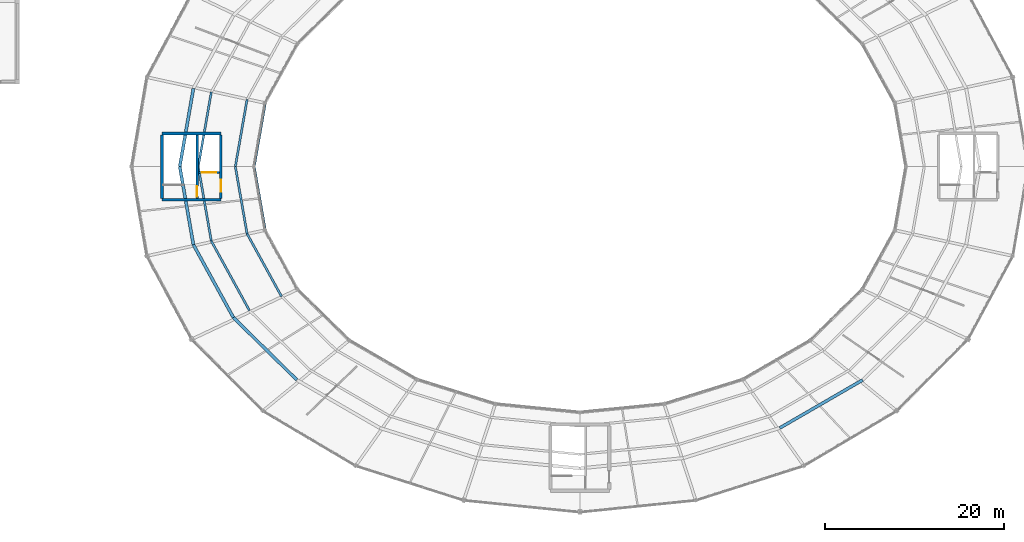
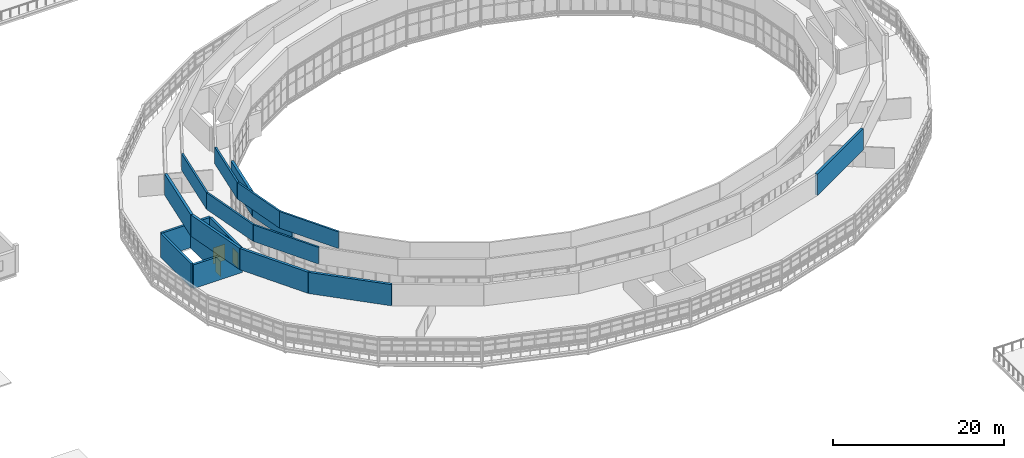
# One storey, part 100 of 123: 19 walls, 3 doors, 3 openings.
"""IFC4 building model written with IfcOpenShell, lengths in metres."""

from ifc_helpers import new_model, si_unit, direction, frame, frame_2d, origin, place, context, subcontext, project, spatial, rectangle, extrude, material, layer, layer_set, type_object, element, fill, save


model = new_model("IFC4")

# Units and contexts
model_context = context("Model", 3, precision=1e-05, world=origin(), true_north=direction((0.0, 1.0)))
body_context = subcontext(model_context, "Body", "Model", "MODEL_VIEW")
ifc_project = project(units=[si_unit("LENGTHUNIT", "METRE"), si_unit("AREAUNIT", "SQUARE_METRE"), si_unit("VOLUMEUNIT", "CUBIC_METRE"), si_unit("PLANEANGLEUNIT", "RADIAN"), si_unit("MASSUNIT", "GRAM", prefix="KILO")], contexts=[model_context])

# Site, building, storey
site_placement = place(None, origin())
site = spatial("IfcSite", under=ifc_project, at=site_placement, CompositionType="ELEMENT")
building_placement = place(site_placement, origin())
building = spatial("IfcBuilding", under=site, at=building_placement, Name="Kildeholm Park Wholesale Market", CompositionType="ELEMENT")
storey_placement = place(building_placement, frame((0.0, 0.0, 9.60009765625)))
storey = spatial("IfcBuildingStorey", under=building, at=storey_placement, Name="L02", CompositionType="ELEMENT", Elevation=9.60009765625)

# Walls
ifc_material_1 = material(Name="Precast concrete C40/50 architectural rainscreen wall", Category="concrete")
ifc_layer_1 = layer(ifc_material_1, 0.340087890625)
ifc_layer_set_1 = layer_set([ifc_layer_1], Name="Precast concrete C40/50 architectural rainscreen wall")
wall_type_1 = type_object("IfcWallType", Name="Exterior wall W-EX4 340 mm", PredefinedType="SOLIDWALL", material=ifc_layer_set_1)
wall_1_placement = place(storey_placement, frame((55.72705078125, 98.248046875, 4.52978515625), z_axis=(0.0, 0.0, 1.0), x_axis=(-0.171964181022, -0.985103202941, 0.0)))
element("IfcWall", 1, at=wall_1_placement, inside=storey, type_object=wall_type_1, Name="Vault lantern clerestory wall 12 WL-0095", PredefinedType="SOLIDWALL", context=body_context, shape_type="SweptSolid", body=[
    extrude(rectangle(XDim=8.88037109375, YDim=0.340087890625, at=frame_2d((4.440185546875, 0.0))), origin(), (0.0, 0.0, 1.0), 3.02001953125),
])
wall_2_placement = place(storey_placement, frame((63.743896484375, 96.617919921875, 4.389892578125), z_axis=(0.0, 0.0, 1.0), x_axis=(-0.172146745201, -0.985071316259, 0.0)))
element("IfcWall", 2, at=wall_2_placement, inside=storey, type_object=wall_type_1, Name="Vault inner lower wall 12 WL-0096", PredefinedType="SOLIDWALL", context=body_context, shape_type="SweptSolid", body=[
    extrude(rectangle(XDim=7.225830078125, YDim=0.340087890625, at=frame_2d((3.61279296875, 0.0))), origin(), (0.0, 0.0, 1.0), 3.159912109375),
])
wall_3_placement = place(storey_placement, frame((57.73095703125, 97.840087890625, 7.579833984375), z_axis=(0.0, 0.0, 1.0), x_axis=(-0.171983700119, -0.985099795398, 0.0)))
element("IfcWall", 3, at=wall_3_placement, inside=storey, type_object=wall_type_1, Name="Vault crown outer clerestory 12 WL-0097", PredefinedType="SOLIDWALL", context=body_context, shape_type="SweptSolid", body=[
    extrude(rectangle(XDim=8.46630859375, YDim=0.239990234375, at=frame_2d((4.233154296875, 0.0))), origin(), (0.0, 0.0, 1.0), 2.3701171875),
])
wall_4_placement = place(storey_placement, frame((61.739013671875, 97.02490234375, 7.579833984375), z_axis=(0.0, 0.0, 1.0), x_axis=(-0.172012838792, -0.985094707777, 0.0)))
element("IfcWall", 4, at=wall_4_placement, inside=storey, type_object=wall_type_1, Name="Vault crown inner clerestory 12 WL-0098", PredefinedType="SOLIDWALL", context=body_context, shape_type="SweptSolid", body=[
    extrude(rectangle(XDim=7.638671875, YDim=0.239990234375, at=frame_2d((3.8193359375, 0.0))), origin(), (0.0, 0.0, 1.0), 2.3701171875),
])
wall_5_placement = place(storey_placement, frame((54.199951171875, 89.5, 4.52978515625), z_axis=(0.0, 0.0, 1.0), x_axis=(0.171964181022, -0.985103202941, 0.0)))
element("IfcWall", 5, at=wall_5_placement, inside=storey, type_object=wall_type_1, Name="Vault lantern clerestory wall 13 WL-0104", PredefinedType="SOLIDWALL", context=body_context, shape_type="SweptSolid", body=[
    extrude(rectangle(XDim=8.88037109375, YDim=0.340087890625, at=frame_2d((4.440185546875, 0.0))), origin(), (0.0, 0.0, 1.0), 3.02001953125),
])
wall_6_placement = place(storey_placement, frame((62.5, 89.5, 4.389892578125), z_axis=(0.0, 0.0, 1.0), x_axis=(0.172146745201, -0.985071316259, 0.0)))
element("IfcWall", 6, at=wall_6_placement, inside=storey, type_object=wall_type_1, Name="Vault inner lower wall 13 WL-0105", PredefinedType="SOLIDWALL", context=body_context, shape_type="SweptSolid", body=[
    extrude(rectangle(XDim=7.225830078125, YDim=0.340087890625, at=frame_2d((3.61279296875, 0.0))), origin(), (0.0, 0.0, 1.0), 3.159912109375),
])
wall_7_placement = place(storey_placement, frame((56.27490234375, 89.5, 7.579833984375), z_axis=(0.0, 0.0, 1.0), x_axis=(0.171983700119, -0.985099795398, 0.0)))
element("IfcWall", 7, at=wall_7_placement, inside=storey, type_object=wall_type_1, Name="Vault crown outer clerestory 13 WL-0106", PredefinedType="SOLIDWALL", context=body_context, shape_type="SweptSolid", body=[
    extrude(rectangle(XDim=8.46630859375, YDim=0.239990234375, at=frame_2d((4.233154296875, 0.0))), origin(), (0.0, 0.0, 1.0), 2.3701171875),
])
wall_8_placement = place(storey_placement, frame((60.425048828125, 89.5, 7.579833984375), z_axis=(0.0, 0.0, 1.0), x_axis=(0.172012838792, -0.985094707777, 0.0)))
element("IfcWall", 8, at=wall_8_placement, inside=storey, type_object=wall_type_1, Name="Vault crown inner clerestory 13 WL-0107", PredefinedType="SOLIDWALL", context=body_context, shape_type="SweptSolid", body=[
    extrude(rectangle(XDim=7.638671875, YDim=0.239990234375, at=frame_2d((3.8193359375, 0.0))), origin(), (0.0, 0.0, 1.0), 2.3701171875),
])
wall_9_placement = place(storey_placement, frame((55.72705078125, 80.751953125, 4.52978515625), z_axis=(0.0, 0.0, 1.0), x_axis=(0.481203038707, -0.876609169208, 0.0)))
element("IfcWall", 9, at=wall_9_placement, inside=storey, type_object=wall_type_1, Name="Vault lantern clerestory wall 14 WL-0113", PredefinedType="SOLIDWALL", context=body_context, shape_type="SweptSolid", body=[
    extrude(rectangle(XDim=9.29931640625, YDim=0.340087890625, at=frame_2d((4.649658203125, 0.0))), origin(), (0.0, 0.0, 1.0), 3.02001953125),
])
wall_10_placement = place(storey_placement, frame((57.73095703125, 81.159912109375, 7.579833984375), z_axis=(0.0, 0.0, 1.0), x_axis=(0.48130775835, -0.876551676601, 0.0)))
element("IfcWall", 10, at=wall_10_placement, inside=storey, type_object=wall_type_1, Name="Vault crown outer clerestory 14 WL-0115", PredefinedType="SOLIDWALL", context=body_context, shape_type="SweptSolid", body=[
    extrude(rectangle(XDim=8.86767578125, YDim=0.239990234375, at=frame_2d((4.433837890625, 0.0))), origin(), (0.0, 0.0, 1.0), 2.3701171875),
])
wall_11_placement = place(storey_placement, frame((61.739013671875, 81.97509765625, 7.579833984375), z_axis=(0.0, 0.0, 1.0), x_axis=(0.481607192972, -0.876387192785, 0.0)))
element("IfcWall", 11, at=wall_11_placement, inside=storey, type_object=wall_type_1, Name="Vault crown inner clerestory 14 WL-0116", PredefinedType="SOLIDWALL", context=body_context, shape_type="SweptSolid", body=[
    extrude(rectangle(XDim=8.00244140625, YDim=0.239990234375, at=frame_2d((4.001220703125, 0.0))), origin(), (0.0, 0.0, 1.0), 2.3701171875),
])
wall_12_placement = place(storey_placement, frame((60.201904296875, 72.60009765625, 4.52978515625), z_axis=(0.0, 0.0, 1.0), x_axis=(0.713096204455, -0.701066190307, 0.0)))
element("IfcWall", 12, at=wall_12_placement, inside=storey, type_object=wall_type_1, Name="Vault lantern clerestory wall 15 WL-0122", PredefinedType="SOLIDWALL", context=body_context, shape_type="SweptSolid", body=[
    extrude(rectangle(XDim=9.98486328125, YDim=0.340087890625, at=frame_2d((4.992431640625, 0.0))), origin(), (0.0, 0.0, 1.0), 3.02001953125),
])
wall_13_placement = place(storey_placement, frame((121.39990234375, 60.22802734375, 4.52978515625), z_axis=(0.0, 0.0, 1.0), x_axis=(0.865403937833, 0.501074869039, 0.0)))
element("IfcWall", 13, at=wall_13_placement, inside=storey, type_object=wall_type_1, Name="Vault lantern clerestory wall 21 WL-0176", PredefinedType="SOLIDWALL", context=body_context, shape_type="SweptSolid", body=[
    extrude(rectangle(XDim=10.72119140625, YDim=0.340087890625, at=frame_2d((5.360595703125, 0.0))), origin(), (0.0, 0.0, 1.0), 3.02001953125),
])
ifc_material_2 = material(Name="Concrete C40/50", Category="concrete")
ifc_layer_2 = layer(ifc_material_2, 0.300048828125)
ifc_layer_set_2 = layer_set([ifc_layer_2], Name="Concrete C40/50")
wall_type_2 = type_object("IfcWallType", Name="Shear wall W-SH1 300 mm", PredefinedType="SHEAR", material=ifc_layer_set_2)
for number, where, z_axis, x_axis, name in (
    (14, (52.199951171875, 85.800048828125, 0.0), (0.0, 0.0, 1.0), (1.0, 0.0, 0.0), "Core C09 south shear wall L02 WL-0822"),
    (15, (52.199951171875, 93.199951171875, 0.0), (0.0, 0.0, 1.0), (1.0, 0.0, 0.0), "Core C09 north shear wall L02 WL-0823"),
):
    element("IfcWall", number, at=place(storey_placement, frame(where, z_axis=z_axis, x_axis=x_axis)), inside=storey, type_object=wall_type_2, Name=name, PredefinedType="SHEAR", context=body_context, shape_type="SweptSolid", body=[
        extrude(rectangle(XDim=6.60009765625, YDim=0.300048828125, at=frame_2d((3.300048828125, 0.0))), origin(), (0.0, 0.0, 1.0), 3.39990234375),
    ])
wall_14_placement = place(storey_placement, frame((52.199951171875, 85.949951171875, 0.0), z_axis=(0.0, 0.0, 1.0), x_axis=(0.0, 1.0, 0.0)))
element("IfcWall", 16, at=wall_14_placement, inside=storey, type_object=wall_type_2, Name="Core C09 west shear wall L02 WL-0824", PredefinedType="SHEAR", context=body_context, shape_type="SweptSolid", body=[
    extrude(rectangle(XDim=7.10009765625, YDim=0.300048828125, at=frame_2d((3.550048828125, 0.0))), origin(), (0.0, 0.0, 1.0), 3.39990234375),
])

# Wall, opening, door
wall_15_placement = place(storey_placement, frame((58.800048828125, 85.949951171875, 0.0), z_axis=(0.0, 0.0, 1.0), x_axis=(0.0, 1.0, 0.0)))
wall_15 = element("IfcWall", 17, at=wall_15_placement, inside=storey, type_object=wall_type_2, Name="Core C09 east shear wall L02 WL-0825", PredefinedType="SHEAR", context=body_context, shape_type="SweptSolid", body=[
    extrude(rectangle(XDim=7.10009765625, YDim=0.300048828125, at=frame_2d((3.550048828125, 0.0))), origin(), (0.0, 0.0, 1.0), 3.39990234375),
])
opening_1_placement = place(wall_15_placement, frame((0.75, 0.0, 0.0)))
opening_1 = element("IfcOpeningElement", 18, at=opening_1_placement, cuts=wall_15, Name="Opening D-CR02", PredefinedType="OPENING", context=body_context, shape_type="SweptSolid", body=[
    extrude(rectangle(XDim=1.300048828125, YDim=2.14990234375, at=frame_2d((0.64990234375, 1.074951171875))), frame((0.0, 0.159912109375, 0.0), z_axis=(0.0, -1.0, 0.0), x_axis=(1.0, 0.0, 0.0)), (0.0, 0.0, 1.0), 0.320068359375),
])
ifc_material_3 = material(Name="Painted steel core lobby double-leaf doorset", Category="steel")
door_type_1 = type_object("IfcDoorType", Name="Interior door D-CR02 1300x2150", OperationType="NOTDEFINED", PredefinedType="DOOR", material=ifc_material_3)
door_1_placement = place(opening_1_placement, frame((1.300048828125, 0.0, 0.0), z_axis=(0.0, 0.0, 1.0), x_axis=(-1.0, 0.0, 0.0)))
door_1 = element("IfcDoor", 19, at=door_1_placement, inside=storey, type_object=door_type_1, Name="Core C09 lobby entrance door L02 DR-0163 WL-0825", OperationType="DOUBLE_DOOR_SINGLE_SWING", OverallHeight=2.14990234375, OverallWidth=1.300048828125, PredefinedType="DOOR", context=body_context, shape_type="SweptSolid", body=[
    extrude(rectangle(XDim=1.300048828125, YDim=2.14990234375, at=frame_2d((0.64990234375, 1.074951171875))), frame((0.0, 0.02490234375, 0.0), z_axis=(0.0, -1.0, 0.0), x_axis=(1.0, 0.0, 0.0)), (0.0, 0.0, 1.0), 0.050048828125),
])
fill(opening_1, door_1)

ifc_layer_3 = layer(ifc_material_2, 0.25)
ifc_layer_set_3 = layer_set([ifc_layer_3], Name="Concrete C40/50")
wall_type_3 = type_object("IfcWallType", Name="Shear wall W-SH2 250 mm", PredefinedType="SHEAR", material=ifc_layer_set_3)
wall_16_placement = place(storey_placement, frame((56.14990234375, 85.949951171875, 0.0), z_axis=(0.0, 0.0, 1.0), x_axis=(0.0, 1.0, 0.0)))
wall_16 = element("IfcWall", 20, at=wall_16_placement, inside=storey, type_object=wall_type_3, Name="Core C09 shaft wall L02 WL-0826", PredefinedType="SHEAR", context=body_context, shape_type="SweptSolid", body=[
    extrude(rectangle(XDim=7.10009765625, YDim=0.25, at=frame_2d((3.550048828125, 0.0))), origin(), (0.0, 0.0, 1.0), 3.39990234375),
])
opening_2_placement = place(wall_16_placement, frame((0.199951171875, 0.0, 0.0)))
opening_2 = element("IfcOpeningElement", 21, at=opening_2_placement, cuts=wall_16, Name="Opening D-CR01", PredefinedType="OPENING", context=body_context, shape_type="SweptSolid", body=[
    extrude(rectangle(XDim=1.14990234375, YDim=2.14990234375, at=frame_2d((0.574951171875, 1.074951171875))), frame((0.0, 0.135009765625, 0.0), z_axis=(0.0, -1.0, 0.0), x_axis=(1.0, 0.0, 0.0)), (0.0, 0.0, 1.0), 0.27001953125),
])
ifc_material_4 = material(Name="Painted steel fire escape doorset", Category="steel")
door_type_2 = type_object("IfcDoorType", Name="Interior door D-CR01 1150x2150", OperationType="NOTDEFINED", PredefinedType="DOOR", material=ifc_material_4)
door_2_placement = place(opening_2_placement, frame((1.14990234375, 0.0, 0.0), z_axis=(0.0, 0.0, 1.0), x_axis=(-1.0, 0.0, 0.0)))
door_2 = element("IfcDoor", 22, at=door_2_placement, inside=storey, type_object=door_type_2, Name="Core C09 stair fire door L02 DR-0164 WL-0826", OperationType="SINGLE_SWING_RIGHT", OverallHeight=2.14990234375, OverallWidth=1.14990234375, PredefinedType="DOOR", context=body_context, shape_type="SweptSolid", body=[
    extrude(rectangle(XDim=1.14990234375, YDim=2.14990234375, at=frame_2d((0.574951171875, 1.074951171875))), frame((0.0, 0.02490234375, 0.0), z_axis=(0.0, -1.0, 0.0), x_axis=(1.0, 0.0, 0.0)), (0.0, 0.0, 1.0), 0.050048828125),
])
fill(opening_2, door_2)

wall_17_placement = place(storey_placement, frame((56.27001953125, 88.85009765625, 0.0), z_axis=(0.0, 0.0, 1.0), x_axis=(1.0, 0.0, 0.0)))
wall_17 = element("IfcWall", 23, at=wall_17_placement, inside=storey, type_object=wall_type_3, Name="Lift LF-08 shaft front wall L02 WL-0827", PredefinedType="SHEAR", context=body_context, shape_type="SweptSolid", body=[
    extrude(rectangle(XDim=2.3798828125, YDim=0.25, at=frame_2d((1.18994140625, 0.0))), origin(), (0.0, 0.0, 1.0), 3.39990234375),
])
opening_3_placement = place(wall_17_placement, frame((0.389892578125, 0.0, 0.0)))
opening_3 = element("IfcOpeningElement", 24, at=opening_3_placement, cuts=wall_17, Name="Opening LD-08", PredefinedType="OPENING", context=body_context, shape_type="SweptSolid", body=[
    extrude(rectangle(XDim=1.60009765625, YDim=2.300048828125, at=frame_2d((0.800048828125, 1.14990234375))), frame((0.0, 0.135009765625, 0.0), z_axis=(0.0, -1.0, 0.0), x_axis=(1.0, 0.0, 0.0)), (0.0, 0.0, 1.0), 0.27001953125),
])
ifc_material_5 = material(Name="Stainless steel AISI 316 goods lift landing door", Category="steel")
door_type_3 = type_object("IfcDoorType", Name="Interior door D-LD02 1600x2300", OperationType="NOTDEFINED", PredefinedType="DOOR", material=ifc_material_5)
door_3_placement = place(opening_3_placement, origin())
door_3 = element("IfcDoor", 25, at=door_3_placement, inside=storey, type_object=door_type_3, Name="Lift LF-08 sliding landing door L02 DR-0165 WL-0827", OperationType="SLIDING_TO_LEFT", OverallHeight=2.300048828125, OverallWidth=1.60009765625, PredefinedType="DOOR", context=body_context, shape_type="SweptSolid", body=[
    extrude(rectangle(XDim=1.60009765625, YDim=2.300048828125, at=frame_2d((0.800048828125, 1.14990234375))), frame((0.0, 0.02490234375, 0.0), z_axis=(0.0, -1.0, 0.0), x_axis=(1.0, 0.0, 0.0)), (0.0, 0.0, 1.0), 0.050048828125),
])
fill(opening_3, door_3)

save(model, "model.ifc")
